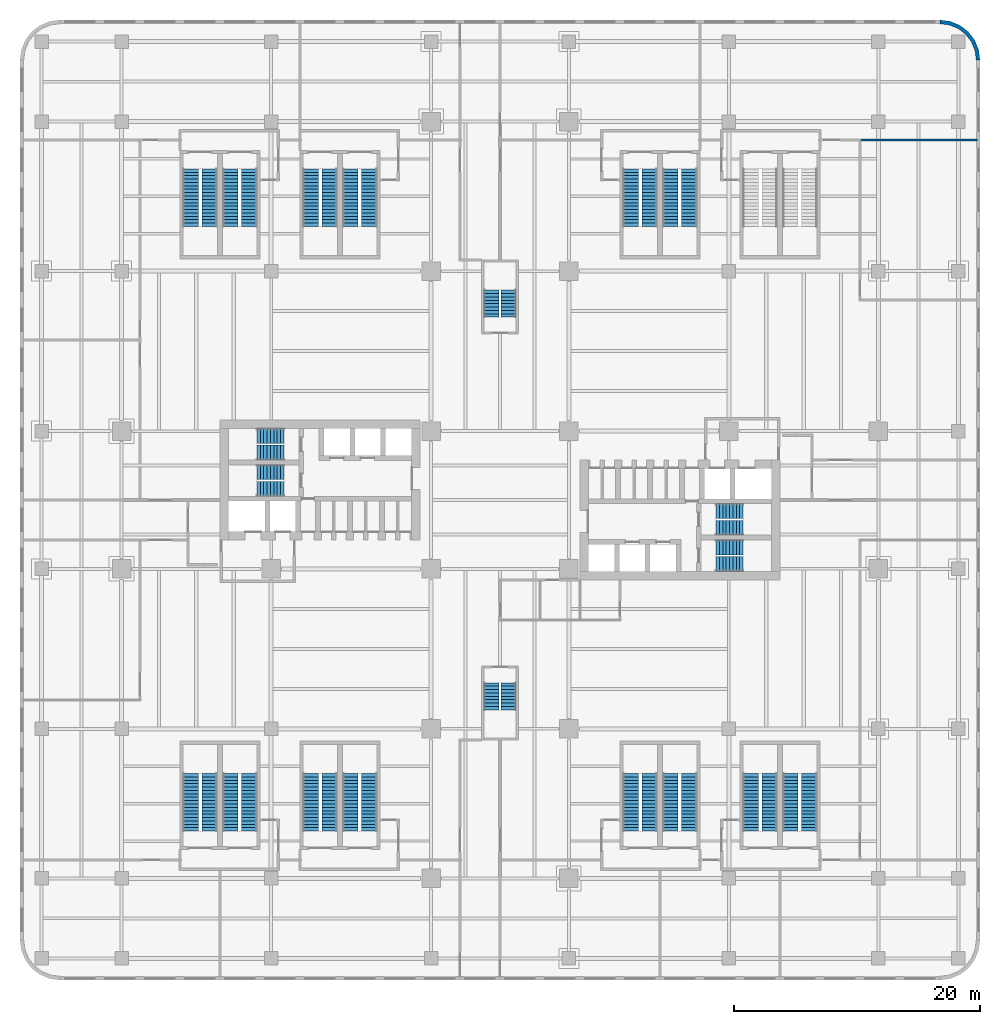
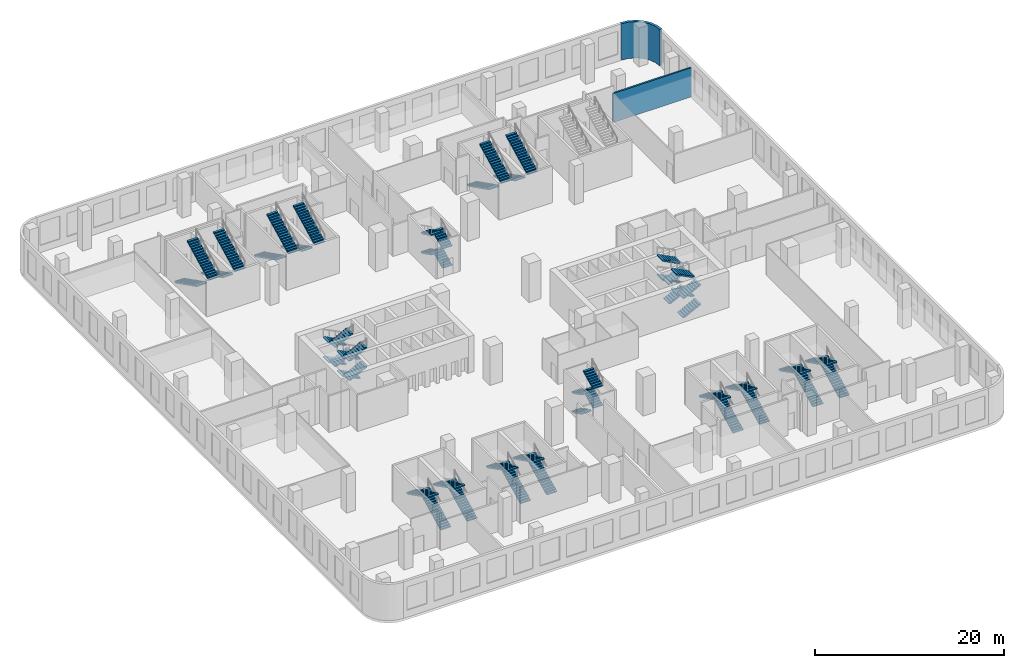
# One storey, part 15 of 17: 52 stair flights, 2 walls, 20 elements without a shape of their own.
"""IFC4 building model written with IfcOpenShell, lengths in metres."""

from ifc_helpers import new_model, si_unit, direction, frame, frame_2d, origin, place, context, subcontext, project, spatial, polyline, rectangle, outline, extrude, source, transform, mapped, material, layer, layer_set, type_object, element, aggregate, save


model = new_model("IFC4")

# Units and contexts
model_context = context("Model", 3, precision=1e-05, world=origin(), true_north=direction((0.0, 1.0)))
body_context = subcontext(model_context, "Body", "Model", "MODEL_VIEW")
ifc_project = project(units=[si_unit("LENGTHUNIT", "METRE"), si_unit("AREAUNIT", "SQUARE_METRE"), si_unit("VOLUMEUNIT", "CUBIC_METRE"), si_unit("PLANEANGLEUNIT", "RADIAN"), si_unit("MASSUNIT", "GRAM", prefix="KILO")], contexts=[model_context])

# Site, building, storey
site_placement = place(None, origin())
site = spatial("IfcSite", under=ifc_project, at=site_placement, CompositionType="ELEMENT")
building_placement = place(site_placement, origin())
building = spatial("IfcBuilding", under=site, at=building_placement, Name="Trellis Farm Tower", CompositionType="ELEMENT")
storey_placement = place(building_placement, frame((0.0, 0.0, 19.0)))
storey = spatial("IfcBuildingStorey", under=building, at=storey_placement, Name="L03", CompositionType="ELEMENT", Elevation=19.0)

# Walls
ifc_material_1 = material(Name="Sandstone faced insulated wall", Category="masonry")
ifc_layer_1 = layer(ifc_material_1, 0.300048828125)
ifc_layer_set_1 = layer_set([ifc_layer_1], Name="STONE CLAD EXTERNAL WALL 300")
wall_type_1 = type_object("IfcWallType", Name="STONE CLAD EXTERNAL WALL 300", PredefinedType="SOLIDWALL", material=ifc_layer_set_1)
shared_shape_1 = source(origin(), body_context, "Body", "SweptSolid", [
    extrude(outline(polyline([(39.0, 35.75), (38.88916015625, 36.591064453125), (38.564697265625, 37.375), (38.048095703125, 38.048095703125), (37.375, 38.564697265625), (36.591064453125, 38.88916015625), (35.75, 39.0), (35.730224609375, 38.699951171875), (36.512939453125, 38.596923828125), (37.2236328125, 38.302490234375), (37.834228515625, 37.834228515625), (38.302490234375, 37.2236328125), (38.596923828125, 36.512939453125), (38.699951171875, 35.730224609375), (39.0, 35.75)])), origin(), (0.0, 0.0, 1.0), 4.699951171875),
])
placement = place(storey_placement, origin())
element("IfcWall", 1, at=placement, inside=storey, type_object=wall_type_1, Name="EW2 C01", PredefinedType="SOLIDWALL", context=body_context, shape_type="MappedRepresentation", body=[
    mapped(shared_shape_1, transform((0.0, 0.0, 0.0))),
])
ifc_material_2 = material(Name="Lightweight blockwork, plastered", Category="masonry")
ifc_layer_2 = layer(ifc_material_2, 0.199951171875)
ifc_layer_set_2 = layer_set([ifc_layer_2], Name="BLOCK WALL 200 EI 120")
wall_type_2 = type_object("IfcWallType", Name="BLOCK WALL 200 EI 120", PredefinedType="PARTITIONING", material=ifc_layer_set_2)
shared_shape_2 = source(origin(), body_context, "Body", "SweptSolid", [
    extrude(rectangle(XDim=9.612548828125, YDim=0.199951171875, at=frame_2d((4.80615234375, 0.0))), origin(), (0.0, 0.0, 1.0), 3.76171875),
])
wall_2_placement = place(storey_placement, frame((29.1875, 29.25, 0.0), z_axis=(0.0, 0.0, 1.0), x_axis=(1.0, 0.0, 0.0)))
element("IfcWall", 2, at=wall_2_placement, inside=storey, type_object=wall_type_2, Name="Partition PW3", PredefinedType="PARTITIONING", context=body_context, shape_type="MappedRepresentation", body=[
    mapped(shared_shape_2, transform((0.0, 0.0, 0.0))),
])

# Stair, stair flights
ifc_material_3 = material(Name="Concrete C50/60", Category="concrete")
stair_type_1 = type_object("IfcStairType", Name="CORE EXIT STAIR 36 RISERS 139 MM", PredefinedType="HALF_TURN_STAIR", material=ifc_material_3)
stair_1 = element("IfcStair", 3, at=placement, inside=storey, type_object=stair_type_1, Name="Exit stair N", PredefinedType="HALF_TURN_STAIR")
stair_flight_type_1 = type_object("IfcStairFlightType", Name="STAIR FLIGHT 9 RISERS 139 MM", PredefinedType="STRAIGHT", material=ifc_material_3)
shared_shape_3 = source(origin(), body_context, "Body", "SweptSolid", [
    extrude(outline(polyline([(0.0, 0.0), (0.0, 0.138916015625), (0.27490234375, 0.138916015625), (0.27490234375, 0.27783203125), (0.550048828125, 0.27783203125), (0.550048828125, 0.416748046875), (0.824951171875, 0.416748046875), (0.824951171875, 0.5556640625), (1.10009765625, 0.5556640625), (1.10009765625, 0.6943359375), (1.375, 0.6943359375), (1.375, 0.833251953125), (1.64990234375, 0.833251953125), (1.64990234375, 0.97216796875), (1.925048828125, 0.97216796875), (1.925048828125, 1.111083984375), (2.199951171875, 1.111083984375), (2.199951171875, 1.25), (2.199951171875, 0.965576171875), (0.2880859375, 0.0), (0.0, 0.0)])), frame((0.0, 0.60009765625, 0.0), z_axis=(0.0, -1.0, 0.0), x_axis=(1.0, 0.0, 0.0)), (0.0, 0.0, 1.0), 1.199951171875),
])
stair_flight_1_placement = place(storey_placement, frame((0.699951171875, 14.85009765625, 0.0), z_axis=(0.0, 0.0, 1.0), x_axis=(0.0, 1.0, 0.0)))
stair_flight_1 = element("IfcStairFlight", 4, at=stair_flight_1_placement, type_object=stair_flight_type_1, Name="STN flight 1", NumberOfRisers=9, NumberOfTreads=8, PredefinedType="STRAIGHT", RiserHeight=0.138888889, TreadLength=0.275, context=body_context, shape_type="MappedRepresentation", body=[
    mapped(shared_shape_3, transform((0.0, 0.0, 0.0))),
])
stair_flight_2_placement = place(storey_placement, frame((-0.699951171875, 17.050048828125, 1.25), z_axis=(0.0, 0.0, 1.0), x_axis=(0.0, -1.0, 0.0)))
stair_flight_2 = element("IfcStairFlight", 5, at=stair_flight_2_placement, type_object=stair_flight_type_1, Name="STN flight 2", NumberOfRisers=9, NumberOfTreads=8, PredefinedType="STRAIGHT", RiserHeight=0.138888889, TreadLength=0.275, context=body_context, shape_type="MappedRepresentation", body=[
    mapped(shared_shape_3, transform((0.0, 0.0, 0.0))),
])
stair_flight_3_placement = place(storey_placement, frame((0.699951171875, 14.85009765625, 2.5), z_axis=(0.0, 0.0, 1.0), x_axis=(0.0, 1.0, 0.0)))
stair_flight_3 = element("IfcStairFlight", 6, at=stair_flight_3_placement, type_object=stair_flight_type_1, Name="STN flight 3", NumberOfRisers=9, NumberOfTreads=8, PredefinedType="STRAIGHT", RiserHeight=0.138888889, TreadLength=0.275, context=body_context, shape_type="MappedRepresentation", body=[
    mapped(shared_shape_3, transform((0.0, 0.0, 0.0))),
])
stair_flight_4_placement = place(storey_placement, frame((-0.699951171875, 17.050048828125, 3.75), z_axis=(0.0, 0.0, 1.0), x_axis=(0.0, -1.0, 0.0)))
stair_flight_4 = element("IfcStairFlight", 7, at=stair_flight_4_placement, type_object=stair_flight_type_1, Name="STN flight 4", NumberOfRisers=9, NumberOfTreads=8, PredefinedType="STRAIGHT", RiserHeight=0.138888889, TreadLength=0.275, context=body_context, shape_type="MappedRepresentation", body=[
    mapped(shared_shape_3, transform((0.0, 0.0, 0.0))),
])
aggregate(stair_1, [stair_flight_1, stair_flight_2, stair_flight_3, stair_flight_4])

stair_2 = element("IfcStair", 8, at=placement, inside=storey, type_object=stair_type_1, Name="Exit stair S", PredefinedType="HALF_TURN_STAIR")
stair_flight_5_placement = place(storey_placement, frame((-0.699951171875, -14.85009765625, 0.0), z_axis=(0.0, 0.0, 1.0), x_axis=(0.0, -1.0, 0.0)))
stair_flight_5 = element("IfcStairFlight", 9, at=stair_flight_5_placement, type_object=stair_flight_type_1, Name="STS flight 1", NumberOfRisers=9, NumberOfTreads=8, PredefinedType="STRAIGHT", RiserHeight=0.138888889, TreadLength=0.275, context=body_context, shape_type="MappedRepresentation", body=[
    mapped(shared_shape_3, transform((0.0, 0.0, 0.0))),
])
stair_flight_6_placement = place(storey_placement, frame((0.699951171875, -17.050048828125, 1.25), z_axis=(0.0, 0.0, 1.0), x_axis=(0.0, 1.0, 0.0)))
stair_flight_6 = element("IfcStairFlight", 10, at=stair_flight_6_placement, type_object=stair_flight_type_1, Name="STS flight 2", NumberOfRisers=9, NumberOfTreads=8, PredefinedType="STRAIGHT", RiserHeight=0.138888889, TreadLength=0.275, context=body_context, shape_type="MappedRepresentation", body=[
    mapped(shared_shape_3, transform((0.0, 0.0, 0.0))),
])
stair_flight_7_placement = place(storey_placement, frame((-0.699951171875, -14.85009765625, 2.5), z_axis=(0.0, 0.0, 1.0), x_axis=(0.0, -1.0, 0.0)))
stair_flight_7 = element("IfcStairFlight", 11, at=stair_flight_7_placement, type_object=stair_flight_type_1, Name="STS flight 3", NumberOfRisers=9, NumberOfTreads=8, PredefinedType="STRAIGHT", RiserHeight=0.138888889, TreadLength=0.275, context=body_context, shape_type="MappedRepresentation", body=[
    mapped(shared_shape_3, transform((0.0, 0.0, 0.0))),
])
stair_flight_8_placement = place(storey_placement, frame((0.699951171875, -17.050048828125, 3.75), z_axis=(0.0, 0.0, 1.0), x_axis=(0.0, 1.0, 0.0)))
stair_flight_8 = element("IfcStairFlight", 12, at=stair_flight_8_placement, type_object=stair_flight_type_1, Name="STS flight 4", NumberOfRisers=9, NumberOfTreads=8, PredefinedType="STRAIGHT", RiserHeight=0.138888889, TreadLength=0.275, context=body_context, shape_type="MappedRepresentation", body=[
    mapped(shared_shape_3, transform((0.0, 0.0, 0.0))),
])
aggregate(stair_2, [stair_flight_5, stair_flight_6, stair_flight_7, stair_flight_8])

stair_3 = element("IfcStair", 13, at=placement, inside=storey, type_object=stair_type_1, Name="Exit stair E1", PredefinedType="HALF_TURN_STAIR")
stair_flight_9_placement = place(storey_placement, frame((17.550048828125, -5.199951171875, 0.0), z_axis=(0.0, 0.0, 1.0), x_axis=(1.0, 0.0, 0.0)))
stair_flight_9 = element("IfcStairFlight", 14, at=stair_flight_9_placement, type_object=stair_flight_type_1, Name="STE1 flight 1", NumberOfRisers=9, NumberOfTreads=8, PredefinedType="STRAIGHT", RiserHeight=0.138888889, TreadLength=0.275, context=body_context, shape_type="MappedRepresentation", body=[
    mapped(shared_shape_3, transform((0.0, 0.0, 0.0))),
])
stair_flight_10_placement = place(storey_placement, frame((19.75, -3.85009765625, 1.25), z_axis=(0.0, 0.0, 1.0), x_axis=(-1.0, 0.0, 0.0)))
stair_flight_10 = element("IfcStairFlight", 15, at=stair_flight_10_placement, type_object=stair_flight_type_1, Name="STE1 flight 2", NumberOfRisers=9, NumberOfTreads=8, PredefinedType="STRAIGHT", RiserHeight=0.138888889, TreadLength=0.275, context=body_context, shape_type="MappedRepresentation", body=[
    mapped(shared_shape_3, transform((0.0, 0.0, 0.0))),
])
stair_flight_11_placement = place(storey_placement, frame((17.550048828125, -5.199951171875, 2.5), z_axis=(0.0, 0.0, 1.0), x_axis=(1.0, 0.0, 0.0)))
stair_flight_11 = element("IfcStairFlight", 16, at=stair_flight_11_placement, type_object=stair_flight_type_1, Name="STE1 flight 3", NumberOfRisers=9, NumberOfTreads=8, PredefinedType="STRAIGHT", RiserHeight=0.138888889, TreadLength=0.275, context=body_context, shape_type="MappedRepresentation", body=[
    mapped(shared_shape_3, transform((0.0, 0.0, 0.0))),
])
stair_flight_12_placement = place(storey_placement, frame((19.75, -3.85009765625, 3.75), z_axis=(0.0, 0.0, 1.0), x_axis=(-1.0, 0.0, 0.0)))
stair_flight_12 = element("IfcStairFlight", 17, at=stair_flight_12_placement, type_object=stair_flight_type_1, Name="STE1 flight 4", NumberOfRisers=9, NumberOfTreads=8, PredefinedType="STRAIGHT", RiserHeight=0.138888889, TreadLength=0.275, context=body_context, shape_type="MappedRepresentation", body=[
    mapped(shared_shape_3, transform((0.0, 0.0, 0.0))),
])
aggregate(stair_3, [stair_flight_9, stair_flight_10, stair_flight_11, stair_flight_12])

stair_4 = element("IfcStair", 18, at=placement, inside=storey, type_object=stair_type_1, Name="Exit stair E2", PredefinedType="HALF_TURN_STAIR")
stair_flight_13_placement = place(storey_placement, frame((17.550048828125, -2.25, 0.0), z_axis=(0.0, 0.0, 1.0), x_axis=(1.0, 0.0, 0.0)))
stair_flight_13 = element("IfcStairFlight", 19, at=stair_flight_13_placement, type_object=stair_flight_type_1, Name="STE2 flight 1", NumberOfRisers=9, NumberOfTreads=8, PredefinedType="STRAIGHT", RiserHeight=0.138888889, TreadLength=0.275, context=body_context, shape_type="MappedRepresentation", body=[
    mapped(shared_shape_3, transform((0.0, 0.0, 0.0))),
])
stair_flight_14_placement = place(storey_placement, frame((19.75, -0.89990234375, 1.25), z_axis=(0.0, 0.0, 1.0), x_axis=(-1.0, 0.0, 0.0)))
stair_flight_14 = element("IfcStairFlight", 20, at=stair_flight_14_placement, type_object=stair_flight_type_1, Name="STE2 flight 2", NumberOfRisers=9, NumberOfTreads=8, PredefinedType="STRAIGHT", RiserHeight=0.138888889, TreadLength=0.275, context=body_context, shape_type="MappedRepresentation", body=[
    mapped(shared_shape_3, transform((0.0, 0.0, 0.0))),
])
stair_flight_15_placement = place(storey_placement, frame((17.550048828125, -2.25, 2.5), z_axis=(0.0, 0.0, 1.0), x_axis=(1.0, 0.0, 0.0)))
stair_flight_15 = element("IfcStairFlight", 21, at=stair_flight_15_placement, type_object=stair_flight_type_1, Name="STE2 flight 3", NumberOfRisers=9, NumberOfTreads=8, PredefinedType="STRAIGHT", RiserHeight=0.138888889, TreadLength=0.275, context=body_context, shape_type="MappedRepresentation", body=[
    mapped(shared_shape_3, transform((0.0, 0.0, 0.0))),
])
stair_flight_16_placement = place(storey_placement, frame((19.75, -0.89990234375, 3.75), z_axis=(0.0, 0.0, 1.0), x_axis=(-1.0, 0.0, 0.0)))
stair_flight_16 = element("IfcStairFlight", 22, at=stair_flight_16_placement, type_object=stair_flight_type_1, Name="STE2 flight 4", NumberOfRisers=9, NumberOfTreads=8, PredefinedType="STRAIGHT", RiserHeight=0.138888889, TreadLength=0.275, context=body_context, shape_type="MappedRepresentation", body=[
    mapped(shared_shape_3, transform((0.0, 0.0, 0.0))),
])
aggregate(stair_4, [stair_flight_13, stair_flight_14, stair_flight_15, stair_flight_16])

stair_5 = element("IfcStair", 23, at=placement, inside=storey, type_object=stair_type_1, Name="Exit stair W1", PredefinedType="HALF_TURN_STAIR")
stair_flight_17_placement = place(storey_placement, frame((-17.550048828125, 5.199951171875, 0.0), z_axis=(0.0, 0.0, 1.0), x_axis=(-1.0, 0.0, 0.0)))
stair_flight_17 = element("IfcStairFlight", 24, at=stair_flight_17_placement, type_object=stair_flight_type_1, Name="STW1 flight 1", NumberOfRisers=9, NumberOfTreads=8, PredefinedType="STRAIGHT", RiserHeight=0.138888889, TreadLength=0.275, context=body_context, shape_type="MappedRepresentation", body=[
    mapped(shared_shape_3, transform((0.0, 0.0, 0.0))),
])
stair_flight_18_placement = place(storey_placement, frame((-19.75, 3.85009765625, 1.25), z_axis=(0.0, 0.0, 1.0), x_axis=(1.0, 0.0, 0.0)))
stair_flight_18 = element("IfcStairFlight", 25, at=stair_flight_18_placement, type_object=stair_flight_type_1, Name="STW1 flight 2", NumberOfRisers=9, NumberOfTreads=8, PredefinedType="STRAIGHT", RiserHeight=0.138888889, TreadLength=0.275, context=body_context, shape_type="MappedRepresentation", body=[
    mapped(shared_shape_3, transform((0.0, 0.0, 0.0))),
])
stair_flight_19_placement = place(storey_placement, frame((-17.550048828125, 5.199951171875, 2.5), z_axis=(0.0, 0.0, 1.0), x_axis=(-1.0, 0.0, 0.0)))
stair_flight_19 = element("IfcStairFlight", 26, at=stair_flight_19_placement, type_object=stair_flight_type_1, Name="STW1 flight 3", NumberOfRisers=9, NumberOfTreads=8, PredefinedType="STRAIGHT", RiserHeight=0.138888889, TreadLength=0.275, context=body_context, shape_type="MappedRepresentation", body=[
    mapped(shared_shape_3, transform((0.0, 0.0, 0.0))),
])
stair_flight_20_placement = place(storey_placement, frame((-19.75, 3.85009765625, 3.75), z_axis=(0.0, 0.0, 1.0), x_axis=(1.0, 0.0, 0.0)))
stair_flight_20 = element("IfcStairFlight", 27, at=stair_flight_20_placement, type_object=stair_flight_type_1, Name="STW1 flight 4", NumberOfRisers=9, NumberOfTreads=8, PredefinedType="STRAIGHT", RiserHeight=0.138888889, TreadLength=0.275, context=body_context, shape_type="MappedRepresentation", body=[
    mapped(shared_shape_3, transform((0.0, 0.0, 0.0))),
])
aggregate(stair_5, [stair_flight_17, stair_flight_18, stair_flight_19, stair_flight_20])

stair_6 = element("IfcStair", 28, at=placement, inside=storey, type_object=stair_type_1, Name="Exit stair W2", PredefinedType="HALF_TURN_STAIR")
stair_flight_21_placement = place(storey_placement, frame((-17.550048828125, 2.25, 0.0), z_axis=(0.0, 0.0, 1.0), x_axis=(-1.0, 0.0, 0.0)))
stair_flight_21 = element("IfcStairFlight", 29, at=stair_flight_21_placement, type_object=stair_flight_type_1, Name="STW2 flight 1", NumberOfRisers=9, NumberOfTreads=8, PredefinedType="STRAIGHT", RiserHeight=0.138888889, TreadLength=0.275, context=body_context, shape_type="MappedRepresentation", body=[
    mapped(shared_shape_3, transform((0.0, 0.0, 0.0))),
])
stair_flight_22_placement = place(storey_placement, frame((-19.75, 0.89990234375, 1.25), z_axis=(0.0, 0.0, 1.0), x_axis=(1.0, 0.0, 0.0)))
stair_flight_22 = element("IfcStairFlight", 30, at=stair_flight_22_placement, type_object=stair_flight_type_1, Name="STW2 flight 2", NumberOfRisers=9, NumberOfTreads=8, PredefinedType="STRAIGHT", RiserHeight=0.138888889, TreadLength=0.275, context=body_context, shape_type="MappedRepresentation", body=[
    mapped(shared_shape_3, transform((0.0, 0.0, 0.0))),
])
stair_flight_23_placement = place(storey_placement, frame((-17.550048828125, 2.25, 2.5), z_axis=(0.0, 0.0, 1.0), x_axis=(-1.0, 0.0, 0.0)))
stair_flight_23 = element("IfcStairFlight", 31, at=stair_flight_23_placement, type_object=stair_flight_type_1, Name="STW2 flight 3", NumberOfRisers=9, NumberOfTreads=8, PredefinedType="STRAIGHT", RiserHeight=0.138888889, TreadLength=0.275, context=body_context, shape_type="MappedRepresentation", body=[
    mapped(shared_shape_3, transform((0.0, 0.0, 0.0))),
])
stair_flight_24_placement = place(storey_placement, frame((-19.75, 0.89990234375, 3.75), z_axis=(0.0, 0.0, 1.0), x_axis=(1.0, 0.0, 0.0)))
stair_flight_24 = element("IfcStairFlight", 32, at=stair_flight_24_placement, type_object=stair_flight_type_1, Name="STW2 flight 4", NumberOfRisers=9, NumberOfTreads=8, PredefinedType="STRAIGHT", RiserHeight=0.138888889, TreadLength=0.275, context=body_context, shape_type="MappedRepresentation", body=[
    mapped(shared_shape_3, transform((0.0, 0.0, 0.0))),
])
aggregate(stair_6, [stair_flight_21, stair_flight_22, stair_flight_23, stair_flight_24])

stair_type_2 = type_object("IfcStairType", Name="PODIUM EXIT STAIR 36 RISERS 139 MM 1250 WIDE", PredefinedType="HALF_TURN_STAIR", material=ifc_material_3)
stair_7 = element("IfcStair", 33, at=placement, inside=storey, type_object=stair_type_2, Name="Podium exit stair STP1A", PredefinedType="HALF_TURN_STAIR")
stair_flight_type_2 = type_object("IfcStairFlightType", Name="PODIUM STAIR FLIGHT 18 RISERS 139 MM 1250 WIDE", PredefinedType="STRAIGHT", material=ifc_material_3)
shared_shape_4 = source(origin(), body_context, "Body", "SweptSolid", [
    extrude(outline(polyline([(0.0, 0.0), (0.0, 0.138916015625), (0.27490234375, 0.138916015625), (0.27490234375, 0.27783203125), (0.550048828125, 0.27783203125), (0.550048828125, 0.416748046875), (0.824951171875, 0.416748046875), (0.824951171875, 0.5556640625), (1.10009765625, 0.5556640625), (1.10009765625, 0.6943359375), (1.375, 0.6943359375), (1.375, 0.833251953125), (1.64990234375, 0.833251953125), (1.64990234375, 0.97216796875), (1.925048828125, 0.97216796875), (1.925048828125, 1.111083984375), (2.199951171875, 1.111083984375), (2.199951171875, 1.25), (2.47509765625, 1.25), (2.47509765625, 1.388916015625), (2.75, 1.388916015625), (2.75, 1.52783203125), (3.02490234375, 1.52783203125), (3.02490234375, 1.666748046875), (3.300048828125, 1.666748046875), (3.300048828125, 1.8056640625), (3.574951171875, 1.8056640625), (3.574951171875, 1.9443359375), (3.85009765625, 1.9443359375), (3.85009765625, 2.083251953125), (4.125, 2.083251953125), (4.125, 2.22216796875), (4.39990234375, 2.22216796875), (4.39990234375, 2.361083984375), (4.675048828125, 2.361083984375), (4.675048828125, 2.5), (4.675048828125, 2.215576171875), (0.2880859375, 0.0), (0.0, 0.0)])), frame((0.0, 0.625, 0.0), z_axis=(0.0, -1.0, 0.0), x_axis=(1.0, 0.0, 0.0)), (0.0, 0.0, 1.0), 1.25),
])
stair_flight_25_placement = place(storey_placement, frame((-25.125, 26.89990234375, 0.0), z_axis=(0.0, 0.0, 1.0), x_axis=(0.0, -1.0, 0.0)))
stair_flight_25 = element("IfcStairFlight", 34, at=stair_flight_25_placement, type_object=stair_flight_type_2, Name="STP1A flight 1", NumberOfRisers=18, NumberOfTreads=17, PredefinedType="STRAIGHT", RiserHeight=0.138888889, TreadLength=0.275, context=body_context, shape_type="MappedRepresentation", body=[
    mapped(shared_shape_4, transform((0.0, 0.0, 0.0))),
])
stair_flight_26_placement = place(storey_placement, frame((-23.594970703125, 22.22509765625, 2.5), z_axis=(0.0, 0.0, 1.0), x_axis=(0.0, 1.0, 0.0)))
stair_flight_26 = element("IfcStairFlight", 35, at=stair_flight_26_placement, type_object=stair_flight_type_2, Name="STP1A flight 2", NumberOfRisers=18, NumberOfTreads=17, PredefinedType="STRAIGHT", RiserHeight=0.138888889, TreadLength=0.275, context=body_context, shape_type="MappedRepresentation", body=[
    mapped(shared_shape_4, transform((0.0, 0.0, 0.0))),
])
aggregate(stair_7, [stair_flight_25, stair_flight_26])

stair_8 = element("IfcStair", 36, at=placement, inside=storey, type_object=stair_type_2, Name="Podium exit stair STP1B", PredefinedType="HALF_TURN_STAIR")
stair_flight_27_placement = place(storey_placement, frame((-21.905029296875, 26.89990234375, 0.0), z_axis=(0.0, 0.0, 1.0), x_axis=(0.0, -1.0, 0.0)))
stair_flight_27 = element("IfcStairFlight", 37, at=stair_flight_27_placement, type_object=stair_flight_type_2, Name="STP1B flight 1", NumberOfRisers=18, NumberOfTreads=17, PredefinedType="STRAIGHT", RiserHeight=0.138888889, TreadLength=0.275, context=body_context, shape_type="MappedRepresentation", body=[
    mapped(shared_shape_4, transform((0.0, 0.0, 0.0))),
])
stair_flight_28_placement = place(storey_placement, frame((-20.375, 22.22509765625, 2.5), z_axis=(0.0, 0.0, 1.0), x_axis=(0.0, 1.0, 0.0)))
stair_flight_28 = element("IfcStairFlight", 38, at=stair_flight_28_placement, type_object=stair_flight_type_2, Name="STP1B flight 2", NumberOfRisers=18, NumberOfTreads=17, PredefinedType="STRAIGHT", RiserHeight=0.138888889, TreadLength=0.275, context=body_context, shape_type="MappedRepresentation", body=[
    mapped(shared_shape_4, transform((0.0, 0.0, 0.0))),
])
aggregate(stair_8, [stair_flight_27, stair_flight_28])

stair_9 = element("IfcStair", 39, at=placement, inside=storey, type_object=stair_type_2, Name="Podium exit stair STP2A", PredefinedType="HALF_TURN_STAIR")
stair_flight_29_placement = place(storey_placement, frame((-15.375, 26.89990234375, 0.0), z_axis=(0.0, 0.0, 1.0), x_axis=(0.0, -1.0, 0.0)))
stair_flight_29 = element("IfcStairFlight", 40, at=stair_flight_29_placement, type_object=stair_flight_type_2, Name="STP2A flight 1", NumberOfRisers=18, NumberOfTreads=17, PredefinedType="STRAIGHT", RiserHeight=0.138888889, TreadLength=0.275, context=body_context, shape_type="MappedRepresentation", body=[
    mapped(shared_shape_4, transform((0.0, 0.0, 0.0))),
])
stair_flight_30_placement = place(storey_placement, frame((-13.844970703125, 22.22509765625, 2.5), z_axis=(0.0, 0.0, 1.0), x_axis=(0.0, 1.0, 0.0)))
stair_flight_30 = element("IfcStairFlight", 41, at=stair_flight_30_placement, type_object=stair_flight_type_2, Name="STP2A flight 2", NumberOfRisers=18, NumberOfTreads=17, PredefinedType="STRAIGHT", RiserHeight=0.138888889, TreadLength=0.275, context=body_context, shape_type="MappedRepresentation", body=[
    mapped(shared_shape_4, transform((0.0, 0.0, 0.0))),
])
aggregate(stair_9, [stair_flight_29, stair_flight_30])

stair_10 = element("IfcStair", 42, at=placement, inside=storey, type_object=stair_type_2, Name="Podium exit stair STP2B", PredefinedType="HALF_TURN_STAIR")
stair_flight_31_placement = place(storey_placement, frame((-12.155029296875, 26.89990234375, 0.0), z_axis=(0.0, 0.0, 1.0), x_axis=(0.0, -1.0, 0.0)))
stair_flight_31 = element("IfcStairFlight", 43, at=stair_flight_31_placement, type_object=stair_flight_type_2, Name="STP2B flight 1", NumberOfRisers=18, NumberOfTreads=17, PredefinedType="STRAIGHT", RiserHeight=0.138888889, TreadLength=0.275, context=body_context, shape_type="MappedRepresentation", body=[
    mapped(shared_shape_4, transform((0.0, 0.0, 0.0))),
])
stair_flight_32_placement = place(storey_placement, frame((-10.625, 22.22509765625, 2.5), z_axis=(0.0, 0.0, 1.0), x_axis=(0.0, 1.0, 0.0)))
stair_flight_32 = element("IfcStairFlight", 44, at=stair_flight_32_placement, type_object=stair_flight_type_2, Name="STP2B flight 2", NumberOfRisers=18, NumberOfTreads=17, PredefinedType="STRAIGHT", RiserHeight=0.138888889, TreadLength=0.275, context=body_context, shape_type="MappedRepresentation", body=[
    mapped(shared_shape_4, transform((0.0, 0.0, 0.0))),
])
aggregate(stair_10, [stair_flight_31, stair_flight_32])

stair_11 = element("IfcStair", 45, at=placement, inside=storey, type_object=stair_type_2, Name="Podium exit stair STP3A", PredefinedType="HALF_TURN_STAIR")
stair_flight_33_placement = place(storey_placement, frame((10.625, 26.89990234375, 0.0), z_axis=(0.0, 0.0, 1.0), x_axis=(0.0, -1.0, 0.0)))
stair_flight_33 = element("IfcStairFlight", 46, at=stair_flight_33_placement, type_object=stair_flight_type_2, Name="STP3A flight 1", NumberOfRisers=18, NumberOfTreads=17, PredefinedType="STRAIGHT", RiserHeight=0.138888889, TreadLength=0.275, context=body_context, shape_type="MappedRepresentation", body=[
    mapped(shared_shape_4, transform((0.0, 0.0, 0.0))),
])
stair_flight_34_placement = place(storey_placement, frame((12.155029296875, 22.22509765625, 2.5), z_axis=(0.0, 0.0, 1.0), x_axis=(0.0, 1.0, 0.0)))
stair_flight_34 = element("IfcStairFlight", 47, at=stair_flight_34_placement, type_object=stair_flight_type_2, Name="STP3A flight 2", NumberOfRisers=18, NumberOfTreads=17, PredefinedType="STRAIGHT", RiserHeight=0.138888889, TreadLength=0.275, context=body_context, shape_type="MappedRepresentation", body=[
    mapped(shared_shape_4, transform((0.0, 0.0, 0.0))),
])
aggregate(stair_11, [stair_flight_33, stair_flight_34])

stair_12 = element("IfcStair", 48, at=placement, inside=storey, type_object=stair_type_2, Name="Podium exit stair STP3B", PredefinedType="HALF_TURN_STAIR")
stair_flight_35_placement = place(storey_placement, frame((13.844970703125, 26.89990234375, 0.0), z_axis=(0.0, 0.0, 1.0), x_axis=(0.0, -1.0, 0.0)))
stair_flight_35 = element("IfcStairFlight", 49, at=stair_flight_35_placement, type_object=stair_flight_type_2, Name="STP3B flight 1", NumberOfRisers=18, NumberOfTreads=17, PredefinedType="STRAIGHT", RiserHeight=0.138888889, TreadLength=0.275, context=body_context, shape_type="MappedRepresentation", body=[
    mapped(shared_shape_4, transform((0.0, 0.0, 0.0))),
])
stair_flight_36_placement = place(storey_placement, frame((15.375, 22.22509765625, 2.5), z_axis=(0.0, 0.0, 1.0), x_axis=(0.0, 1.0, 0.0)))
stair_flight_36 = element("IfcStairFlight", 50, at=stair_flight_36_placement, type_object=stair_flight_type_2, Name="STP3B flight 2", NumberOfRisers=18, NumberOfTreads=17, PredefinedType="STRAIGHT", RiserHeight=0.138888889, TreadLength=0.275, context=body_context, shape_type="MappedRepresentation", body=[
    mapped(shared_shape_4, transform((0.0, 0.0, 0.0))),
])
aggregate(stair_12, [stair_flight_35, stair_flight_36])

stair_13 = element("IfcStair", 51, at=placement, inside=storey, type_object=stair_type_2, Name="Podium exit stair STP5A", PredefinedType="HALF_TURN_STAIR")
stair_flight_37_placement = place(storey_placement, frame((-23.594970703125, -26.89990234375, 0.0), z_axis=(0.0, 0.0, 1.0), x_axis=(0.0, 1.0, 0.0)))
stair_flight_37 = element("IfcStairFlight", 52, at=stair_flight_37_placement, type_object=stair_flight_type_2, Name="STP5A flight 1", NumberOfRisers=18, NumberOfTreads=17, PredefinedType="STRAIGHT", RiserHeight=0.138888889, TreadLength=0.275, context=body_context, shape_type="MappedRepresentation", body=[
    mapped(shared_shape_4, transform((0.0, 0.0, 0.0))),
])
stair_flight_38_placement = place(storey_placement, frame((-25.125, -22.22509765625, 2.5), z_axis=(0.0, 0.0, 1.0), x_axis=(0.0, -1.0, 0.0)))
stair_flight_38 = element("IfcStairFlight", 53, at=stair_flight_38_placement, type_object=stair_flight_type_2, Name="STP5A flight 2", NumberOfRisers=18, NumberOfTreads=17, PredefinedType="STRAIGHT", RiserHeight=0.138888889, TreadLength=0.275, context=body_context, shape_type="MappedRepresentation", body=[
    mapped(shared_shape_4, transform((0.0, 0.0, 0.0))),
])
aggregate(stair_13, [stair_flight_37, stair_flight_38])

stair_14 = element("IfcStair", 54, at=placement, inside=storey, type_object=stair_type_2, Name="Podium exit stair STP5B", PredefinedType="HALF_TURN_STAIR")
stair_flight_39_placement = place(storey_placement, frame((-20.375, -26.89990234375, 0.0), z_axis=(0.0, 0.0, 1.0), x_axis=(0.0, 1.0, 0.0)))
stair_flight_39 = element("IfcStairFlight", 55, at=stair_flight_39_placement, type_object=stair_flight_type_2, Name="STP5B flight 1", NumberOfRisers=18, NumberOfTreads=17, PredefinedType="STRAIGHT", RiserHeight=0.138888889, TreadLength=0.275, context=body_context, shape_type="MappedRepresentation", body=[
    mapped(shared_shape_4, transform((0.0, 0.0, 0.0))),
])
stair_flight_40_placement = place(storey_placement, frame((-21.905029296875, -22.22509765625, 2.5), z_axis=(0.0, 0.0, 1.0), x_axis=(0.0, -1.0, 0.0)))
stair_flight_40 = element("IfcStairFlight", 56, at=stair_flight_40_placement, type_object=stair_flight_type_2, Name="STP5B flight 2", NumberOfRisers=18, NumberOfTreads=17, PredefinedType="STRAIGHT", RiserHeight=0.138888889, TreadLength=0.275, context=body_context, shape_type="MappedRepresentation", body=[
    mapped(shared_shape_4, transform((0.0, 0.0, 0.0))),
])
aggregate(stair_14, [stair_flight_39, stair_flight_40])

stair_15 = element("IfcStair", 57, at=placement, inside=storey, type_object=stair_type_2, Name="Podium exit stair STP6A", PredefinedType="HALF_TURN_STAIR")
stair_flight_41_placement = place(storey_placement, frame((-13.844970703125, -26.89990234375, 0.0), z_axis=(0.0, 0.0, 1.0), x_axis=(0.0, 1.0, 0.0)))
stair_flight_41 = element("IfcStairFlight", 58, at=stair_flight_41_placement, type_object=stair_flight_type_2, Name="STP6A flight 1", NumberOfRisers=18, NumberOfTreads=17, PredefinedType="STRAIGHT", RiserHeight=0.138888889, TreadLength=0.275, context=body_context, shape_type="MappedRepresentation", body=[
    mapped(shared_shape_4, transform((0.0, 0.0, 0.0))),
])
stair_flight_42_placement = place(storey_placement, frame((-15.375, -22.22509765625, 2.5), z_axis=(0.0, 0.0, 1.0), x_axis=(0.0, -1.0, 0.0)))
stair_flight_42 = element("IfcStairFlight", 59, at=stair_flight_42_placement, type_object=stair_flight_type_2, Name="STP6A flight 2", NumberOfRisers=18, NumberOfTreads=17, PredefinedType="STRAIGHT", RiserHeight=0.138888889, TreadLength=0.275, context=body_context, shape_type="MappedRepresentation", body=[
    mapped(shared_shape_4, transform((0.0, 0.0, 0.0))),
])
aggregate(stair_15, [stair_flight_41, stair_flight_42])

stair_16 = element("IfcStair", 60, at=placement, inside=storey, type_object=stair_type_2, Name="Podium exit stair STP6B", PredefinedType="HALF_TURN_STAIR")
stair_flight_43_placement = place(storey_placement, frame((-10.625, -26.89990234375, 0.0), z_axis=(0.0, 0.0, 1.0), x_axis=(0.0, 1.0, 0.0)))
stair_flight_43 = element("IfcStairFlight", 61, at=stair_flight_43_placement, type_object=stair_flight_type_2, Name="STP6B flight 1", NumberOfRisers=18, NumberOfTreads=17, PredefinedType="STRAIGHT", RiserHeight=0.138888889, TreadLength=0.275, context=body_context, shape_type="MappedRepresentation", body=[
    mapped(shared_shape_4, transform((0.0, 0.0, 0.0))),
])
stair_flight_44_placement = place(storey_placement, frame((-12.155029296875, -22.22509765625, 2.5), z_axis=(0.0, 0.0, 1.0), x_axis=(0.0, -1.0, 0.0)))
stair_flight_44 = element("IfcStairFlight", 62, at=stair_flight_44_placement, type_object=stair_flight_type_2, Name="STP6B flight 2", NumberOfRisers=18, NumberOfTreads=17, PredefinedType="STRAIGHT", RiserHeight=0.138888889, TreadLength=0.275, context=body_context, shape_type="MappedRepresentation", body=[
    mapped(shared_shape_4, transform((0.0, 0.0, 0.0))),
])
aggregate(stair_16, [stair_flight_43, stair_flight_44])

stair_17 = element("IfcStair", 63, at=placement, inside=storey, type_object=stair_type_2, Name="Podium exit stair STP7A", PredefinedType="HALF_TURN_STAIR")
stair_flight_45_placement = place(storey_placement, frame((12.155029296875, -26.89990234375, 0.0), z_axis=(0.0, 0.0, 1.0), x_axis=(0.0, 1.0, 0.0)))
stair_flight_45 = element("IfcStairFlight", 64, at=stair_flight_45_placement, type_object=stair_flight_type_2, Name="STP7A flight 1", NumberOfRisers=18, NumberOfTreads=17, PredefinedType="STRAIGHT", RiserHeight=0.138888889, TreadLength=0.275, context=body_context, shape_type="MappedRepresentation", body=[
    mapped(shared_shape_4, transform((0.0, 0.0, 0.0))),
])
stair_flight_46_placement = place(storey_placement, frame((10.625, -22.22509765625, 2.5), z_axis=(0.0, 0.0, 1.0), x_axis=(0.0, -1.0, 0.0)))
stair_flight_46 = element("IfcStairFlight", 65, at=stair_flight_46_placement, type_object=stair_flight_type_2, Name="STP7A flight 2", NumberOfRisers=18, NumberOfTreads=17, PredefinedType="STRAIGHT", RiserHeight=0.138888889, TreadLength=0.275, context=body_context, shape_type="MappedRepresentation", body=[
    mapped(shared_shape_4, transform((0.0, 0.0, 0.0))),
])
aggregate(stair_17, [stair_flight_45, stair_flight_46])

stair_18 = element("IfcStair", 66, at=placement, inside=storey, type_object=stair_type_2, Name="Podium exit stair STP7B", PredefinedType="HALF_TURN_STAIR")
stair_flight_47_placement = place(storey_placement, frame((15.375, -26.89990234375, 0.0), z_axis=(0.0, 0.0, 1.0), x_axis=(0.0, 1.0, 0.0)))
stair_flight_47 = element("IfcStairFlight", 67, at=stair_flight_47_placement, type_object=stair_flight_type_2, Name="STP7B flight 1", NumberOfRisers=18, NumberOfTreads=17, PredefinedType="STRAIGHT", RiserHeight=0.138888889, TreadLength=0.275, context=body_context, shape_type="MappedRepresentation", body=[
    mapped(shared_shape_4, transform((0.0, 0.0, 0.0))),
])
stair_flight_48_placement = place(storey_placement, frame((13.844970703125, -22.22509765625, 2.5), z_axis=(0.0, 0.0, 1.0), x_axis=(0.0, -1.0, 0.0)))
stair_flight_48 = element("IfcStairFlight", 68, at=stair_flight_48_placement, type_object=stair_flight_type_2, Name="STP7B flight 2", NumberOfRisers=18, NumberOfTreads=17, PredefinedType="STRAIGHT", RiserHeight=0.138888889, TreadLength=0.275, context=body_context, shape_type="MappedRepresentation", body=[
    mapped(shared_shape_4, transform((0.0, 0.0, 0.0))),
])
aggregate(stair_18, [stair_flight_47, stair_flight_48])

stair_19 = element("IfcStair", 69, at=placement, inside=storey, type_object=stair_type_2, Name="Podium exit stair STP8A", PredefinedType="HALF_TURN_STAIR")
stair_flight_49_placement = place(storey_placement, frame((21.905029296875, -26.89990234375, 0.0), z_axis=(0.0, 0.0, 1.0), x_axis=(0.0, 1.0, 0.0)))
stair_flight_49 = element("IfcStairFlight", 70, at=stair_flight_49_placement, type_object=stair_flight_type_2, Name="STP8A flight 1", NumberOfRisers=18, NumberOfTreads=17, PredefinedType="STRAIGHT", RiserHeight=0.138888889, TreadLength=0.275, context=body_context, shape_type="MappedRepresentation", body=[
    mapped(shared_shape_4, transform((0.0, 0.0, 0.0))),
])
stair_flight_50_placement = place(storey_placement, frame((20.375, -22.22509765625, 2.5), z_axis=(0.0, 0.0, 1.0), x_axis=(0.0, -1.0, 0.0)))
stair_flight_50 = element("IfcStairFlight", 71, at=stair_flight_50_placement, type_object=stair_flight_type_2, Name="STP8A flight 2", NumberOfRisers=18, NumberOfTreads=17, PredefinedType="STRAIGHT", RiserHeight=0.138888889, TreadLength=0.275, context=body_context, shape_type="MappedRepresentation", body=[
    mapped(shared_shape_4, transform((0.0, 0.0, 0.0))),
])
aggregate(stair_19, [stair_flight_49, stair_flight_50])

stair_20 = element("IfcStair", 72, at=placement, inside=storey, type_object=stair_type_2, Name="Podium exit stair STP8B", PredefinedType="HALF_TURN_STAIR")
stair_flight_51_placement = place(storey_placement, frame((25.125, -26.89990234375, 0.0), z_axis=(0.0, 0.0, 1.0), x_axis=(0.0, 1.0, 0.0)))
stair_flight_51 = element("IfcStairFlight", 73, at=stair_flight_51_placement, type_object=stair_flight_type_2, Name="STP8B flight 1", NumberOfRisers=18, NumberOfTreads=17, PredefinedType="STRAIGHT", RiserHeight=0.138888889, TreadLength=0.275, context=body_context, shape_type="MappedRepresentation", body=[
    mapped(shared_shape_4, transform((0.0, 0.0, 0.0))),
])
stair_flight_52_placement = place(storey_placement, frame((23.594970703125, -22.22509765625, 2.5), z_axis=(0.0, 0.0, 1.0), x_axis=(0.0, -1.0, 0.0)))
stair_flight_52 = element("IfcStairFlight", 74, at=stair_flight_52_placement, type_object=stair_flight_type_2, Name="STP8B flight 2", NumberOfRisers=18, NumberOfTreads=17, PredefinedType="STRAIGHT", RiserHeight=0.138888889, TreadLength=0.275, context=body_context, shape_type="MappedRepresentation", body=[
    mapped(shared_shape_4, transform((0.0, 0.0, 0.0))),
])
aggregate(stair_20, [stair_flight_51, stair_flight_52])

save(model, "model.ifc")
